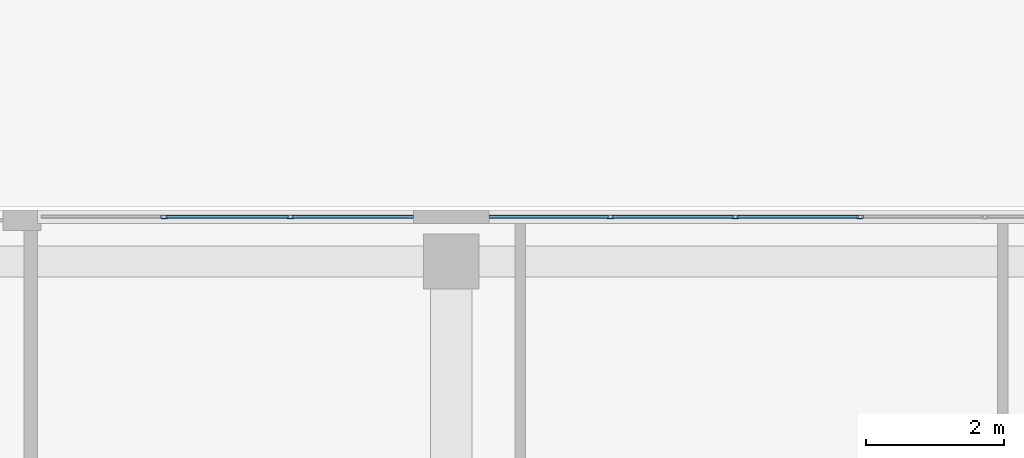
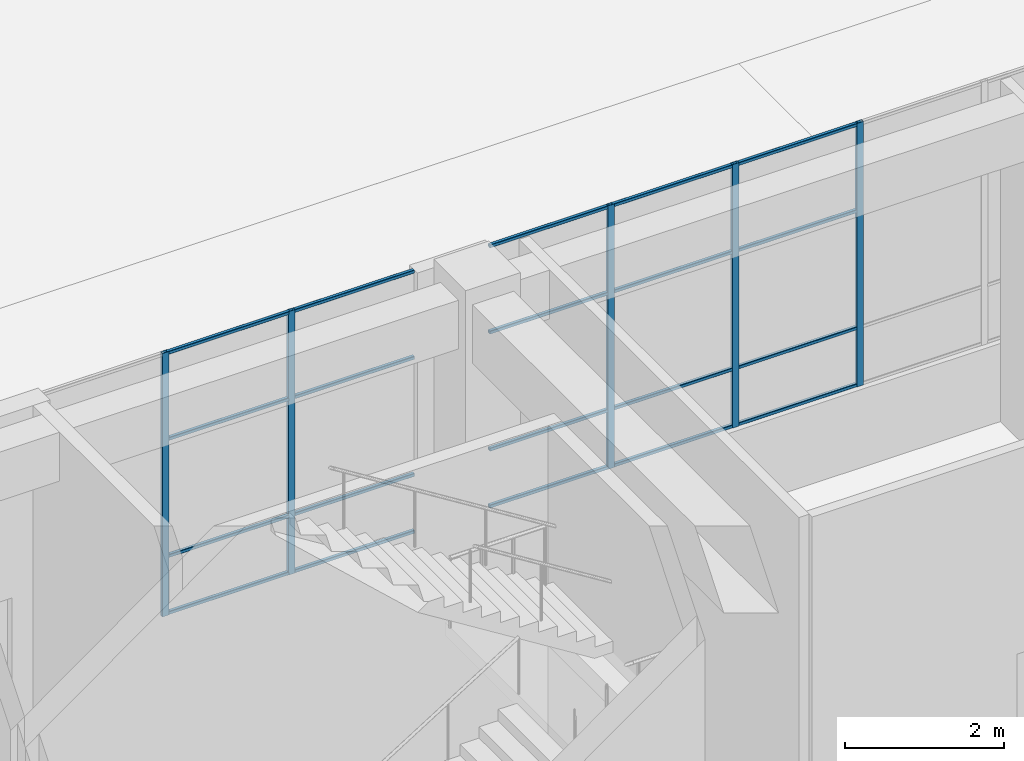
# One storey, part 40 of 72: 25 members, 2 elements without a shape of their own.
"""IFC4 building model written with IfcOpenShell, lengths in metres."""

import ifcopenshell
import ifcopenshell.guid

model = None  # the IFC model being written
_history = None  # IfcOwnerHistory: only IFC2X3 demands one
_inside = {}  # id of a spatial element -> (the spatial element, [elements in it])
_under = {}  # id of a project, library or spatial element -> (it, [spatial elements below it])
_declared = {}  # id of a project -> (the project, [libraries it declares])
_typed = {}  # id of a type object -> (the type object, [elements of that type])
_made_of = {}  # id of a material, layer set ... -> (it, [elements and type objects made of it])


def new_model(schema):
    """Start an empty IFC model of exactly this schema.

    Asked for "IFC4X3", IfcOpenShell would pick the latest addendum, in which some entities
    have other attributes; the version numbers below select the first issue.
    IFC2X3 requires an IfcOwnerHistory on every rooted entity: one is made here for all.
    """
    global model, _history
    if schema == "IFC4X3":
        model = ifcopenshell.file(schema_version=(4, 3, 0, 0))
    else:
        model = ifcopenshell.file(schema=schema)
    _inside.clear()
    _under.clear()
    _declared.clear()
    _typed.clear()
    _made_of.clear()
    _history = None
    if model.schema == "IFC2X3":
        org = make("IfcOrganization", Name="unknown")
        user = make(
            "IfcPersonAndOrganization",
            ThePerson=make("IfcPerson", FamilyName="unknown"),
            TheOrganization=org,
        )
        app = make(
            "IfcApplication",
            ApplicationDeveloper=org,
            Version="unknown",
            ApplicationFullName="unknown",
            ApplicationIdentifier="unknown",
        )
        _history = make(
            "IfcOwnerHistory",
            OwningUser=user,
            OwningApplication=app,
            ChangeAction="ADDED",
            CreationDate=0,
        )
    return model


def make(cls, **values):
    """One entity of the class cls with the attributes given. An attribute that is None is left unset."""
    return model.create_entity(
        cls, **{name: value for name, value in values.items() if value is not None}
    )


def rooted(cls, **values):
    """An entity with a GlobalId (a new one), such as an element, a storey or a relation."""
    return make(cls, GlobalId=ifcopenshell.guid.new(), OwnerHistory=_history, **values)


def si_unit(unit_type, name, prefix=None):
    """IfcSIUnit, for example si_unit("LENGTHUNIT", "METRE", prefix="MILLI")."""
    return make("IfcSIUnit", UnitType=unit_type, Prefix=prefix, Name=name)


def assignment(units):
    """IfcUnitAssignment: the units of a project."""
    return None if units is None else make("IfcUnitAssignment", Units=units)


def point(xyz):
    """IfcCartesianPoint."""
    return None if xyz is None else make("IfcCartesianPoint", Coordinates=xyz)


def direction(xyz):
    """IfcDirection."""
    return None if xyz is None else make("IfcDirection", DirectionRatios=xyz)


def frame(location, z_axis=None, x_axis=None):
    """IfcAxis2Placement3D, a coordinate frame: its origin and axes. An axis left out is left unset."""
    return make(
        "IfcAxis2Placement3D",
        Location=point(location),
        Axis=direction(z_axis),
        RefDirection=direction(x_axis),
    )


def frame_2d(location, x_axis=None):
    """IfcAxis2Placement2D, a coordinate frame in the plane: its origin and x axis."""
    return make(
        "IfcAxis2Placement2D", Location=point(location), RefDirection=direction(x_axis)
    )


def origin():
    """The frame at (0, 0, 0) with its axes left unset."""
    return frame((0.0, 0.0, 0.0))


def origin_2d():
    """The frame at (0, 0) in the plane with its x axis left unset."""
    return frame_2d((0.0, 0.0))


def place(relative_to, where):
    """IfcLocalPlacement: puts the frame where relative to a parent placement (None: the world)."""
    return make(
        "IfcLocalPlacement", PlacementRelTo=relative_to, RelativePlacement=where
    )


def context(
    kind, dimensions, precision=None, world=None, true_north=None, identifier=None
):
    """IfcGeometricRepresentationContext, for example the 3D "Model" context."""
    return make(
        "IfcGeometricRepresentationContext",
        ContextIdentifier=identifier,
        ContextType=kind,
        CoordinateSpaceDimension=dimensions,
        Precision=precision,
        WorldCoordinateSystem=world,
        TrueNorth=true_north,
    )


def subcontext(parent, identifier, kind, view, scale=None):
    """IfcGeometricRepresentationSubContext, for example "Body" below "Model"."""
    return make(
        "IfcGeometricRepresentationSubContext",
        ContextIdentifier=identifier,
        ContextType=kind,
        ParentContext=parent,
        TargetScale=scale,
        TargetView=view,
    )


def project(units=None, contexts=None):
    """IfcProject with its units and contexts."""
    return rooted(
        "IfcProject",
        Name="project",
        RepresentationContexts=contexts,
        UnitsInContext=assignment(units),
    )


def spatial(cls, under=None, at=None, **own):
    """A site, building, storey or space (cls), placed at a placement, below another one or the project."""
    s = rooted(cls, ObjectPlacement=at, **own)
    if under is not None:
        _under.setdefault(under.id(), (under, []))[1].append(s)
    return s


def profile(cls, at=None, kind="AREA", **sizes):
    """A parametric profile (cls). Its sizes go by their IFC names, for example OverallWidth=200.0."""
    return make(cls, ProfileType=kind, Position=at, **sizes)


def hollow_rectangle(**sizes):
    """IfcRectangleHollowProfileDef."""
    return profile("IfcRectangleHollowProfileDef", **sizes)


def extrude(swept, where, along, depth):
    """IfcExtrudedAreaSolid: the profile swept, set in the frame where, extruded along a direction by depth."""
    return make(
        "IfcExtrudedAreaSolid",
        SweptArea=swept,
        Position=where,
        ExtrudedDirection=direction(along),
        Depth=depth,
    )


def shape(context_of_items, identifier, shape_type, items):
    """IfcShapeRepresentation: the items that make up one representation, for example the "Body"."""
    return make(
        "IfcShapeRepresentation",
        ContextOfItems=context_of_items,
        RepresentationIdentifier=identifier,
        RepresentationType=shape_type,
        Items=items,
    )


def material(Name=None, Category=None):
    """IfcMaterial."""
    return make("IfcMaterial", Name=Name, Category=Category)


def layer(
    of_material, thickness, ventilated=None, Name=None, Category=None, Priority=None
):
    """IfcMaterialLayer: one layer of a wall or slab, of a material (None: an air gap)."""
    return make(
        "IfcMaterialLayer",
        Material=of_material,
        LayerThickness=thickness,
        IsVentilated=ventilated,
        Name=Name,
        Category=Category,
        Priority=Priority,
    )


def layer_set(layers, Name=None):
    """IfcMaterialLayerSet."""
    return make("IfcMaterialLayerSet", MaterialLayers=layers, LayerSetName=Name)


def material_profile(
    of_material, cross_section, Name=None, Category=None, Priority=None
):
    """IfcMaterialProfile: a cross section and its material."""
    return make(
        "IfcMaterialProfile",
        Name=Name,
        Material=of_material,
        Profile=cross_section,
        Priority=Priority,
        Category=Category,
    )


def profile_set(profiles, Name=None, composite=None):
    """IfcMaterialProfileSet."""
    return make(
        "IfcMaterialProfileSet",
        Name=Name,
        MaterialProfiles=profiles,
        CompositeProfile=composite,
    )


def made_of(thing, what):
    """Note that an element or type object is made of a material, layer set ...; save() writes the relation."""
    if what is not None:
        _made_of.setdefault(what.id(), (what, []))[1].append(thing)
    return thing


def type_object(cls, material=None, **own):
    """A type object (cls), such as IfcWallType, which elements share."""
    return made_of(rooted(cls, **own), material)


def element(
    cls,
    number,
    at=None,
    inside=None,
    cuts=None,
    type_object=None,
    material=None,
    context=None,
    identifier="Body",
    shape_type=None,
    held_by="IfcProductDefinitionShape",
    body=None,
    shapes=None,
    **own,
):
    """One element of the class cls, such as IfcWall. Its Tag is "e" and its number.

    at: its placement. inside: the storey or other place that contains it. cuts: it is an
    opening in that element (IfcRelVoidsElement). A single representation is given by context,
    identifier, shape_type and body (its items); several are given by shapes. held_by: the class
    of the entity that holds the representations. save() writes the other relations.
    """
    e = rooted(cls, Tag="e%d" % number, ObjectPlacement=at, **own)
    if body is not None:
        shapes = [shape(context, identifier, shape_type, body)]
    if shapes is not None:
        e.Representation = make(held_by, Representations=shapes)
    if inside is not None:
        _inside.setdefault(inside.id(), (inside, []))[1].append(e)
    if cuts is not None:
        rooted(
            "IfcRelVoidsElement", RelatingBuildingElement=cuts, RelatedOpeningElement=e
        )
    if type_object is not None:
        _typed.setdefault(type_object.id(), (type_object, []))[1].append(e)
    return made_of(e, material)


def aggregate(whole, parts):
    """IfcRelAggregates: a whole, such as a stair, and the parts it consists of."""
    return rooted("IfcRelAggregates", RelatingObject=whole, RelatedObjects=parts)


def save(model, path):
    """Write the relations noted so far, then the file.

    IfcRelAggregates (storeys below a building ...), IfcRelContainedInSpatialStructure (elements
    in a storey), IfcRelDefinesByType, IfcRelAssociatesMaterial and IfcRelDeclares: one each for
    every whole, place, type object, material and project.
    """
    for whole, parts in _under.values():
        aggregate(whole, parts)
    for where, things in _inside.values():
        rooted(
            "IfcRelContainedInSpatialStructure",
            RelatedElements=things,
            RelatingStructure=where,
        )
    for kind, things in _typed.values():
        rooted("IfcRelDefinesByType", RelatedObjects=things, RelatingType=kind)
    for what, things in _made_of.values():
        rooted("IfcRelAssociatesMaterial", RelatedObjects=things, RelatingMaterial=what)
    for by, libraries in _declared.values():
        rooted("IfcRelDeclares", RelatingContext=by, RelatedDefinitions=libraries)
    model.write(path)


model = new_model("IFC4")

# Units and contexts
model_context = context("Model", 3, precision=1e-05, world=origin(), true_north=direction((0.0, 1.0)))
body_context = subcontext(model_context, "Body", "Model", "MODEL_VIEW")
ifc_project = project(units=[si_unit("LENGTHUNIT", "METRE"), si_unit("AREAUNIT", "SQUARE_METRE"), si_unit("VOLUMEUNIT", "CUBIC_METRE"), si_unit("PLANEANGLEUNIT", "RADIAN"), si_unit("MASSUNIT", "GRAM", prefix="KILO")], contexts=[model_context])

# Site, building, storey
site_placement = place(None, origin())
site = spatial("IfcSite", under=ifc_project, at=site_placement, CompositionType="ELEMENT")
building_placement = place(site_placement, origin())
building = spatial("IfcBuilding", under=site, at=building_placement, Name="Tuart Plaza Theatre", CompositionType="ELEMENT")
storey_placement = place(building_placement, origin())
storey = spatial("IfcBuildingStorey", under=building, at=storey_placement, Name="L00", CompositionType="ELEMENT", Elevation=0.0)

# Curtain wall, members
ifc_material_1 = material(Name="Aluminium and glass", Category="aluminium")
ifc_layer_1 = layer(ifc_material_1, 0.10009765625)
ifc_layer_set_1 = layer_set([ifc_layer_1], Name="CURTAIN WALL 1800 module")
curtain_wall_type_1 = type_object("IfcCurtainWallType", Name="CURTAIN WALL 1800 module", PredefinedType="NOTDEFINED", material=ifc_layer_set_1)
curtain_wall_1_placement = place(storey_placement, origin())
curtain_wall_1 = element("IfcCurtainWall", 1, at=curtain_wall_1_placement, inside=storey, type_object=curtain_wall_type_1, Name="CW52", PredefinedType="NOTDEFINED")
ifc_material_2 = material(Name="Aluminium 6063-T5", Category="aluminium")
ifc_material_profile_1 = material_profile(ifc_material_2, hollow_rectangle(XDim=0.050048828125, YDim=0.10009765625, WallThickness=0.00390625, InnerFilletRadius=0.00390625, OuterFilletRadius=0.008056640625, at=origin_2d()), Name="RHS 100x50x4")
ifc_profile_set_1 = profile_set([ifc_material_profile_1], Name="Aluminium 6063-T5")
member_type_1 = type_object("IfcMemberType", Name="MULLION RHS 100x50x4", PredefinedType="MULLION", material=ifc_profile_set_1)
member_1_placement = place(storey_placement, frame((146.929931640625, 92.64990234375, 1.199951171875), z_axis=(0.0, 0.0, 1.0), x_axis=(0.0, -1.0, 0.0)))
member_1 = element("IfcMember", 2, at=member_1_placement, type_object=member_type_1, Name="CW52 mullion 3", PredefinedType="MULLION", context=body_context, shape_type="SweptSolid", body=[
    extrude(hollow_rectangle(XDim=0.050048828125, YDim=0.10009765625, WallThickness=0.00390625, InnerFilletRadius=0.00390625, OuterFilletRadius=0.008056640625, at=origin_2d()), origin(), (0.0, 0.0, 1.0), 4.050048828125),
])
member_2_placement = place(storey_placement, frame((145.1201171875, 92.64990234375, 1.199951171875), z_axis=(0.0, 0.0, 1.0), x_axis=(0.0, -1.0, 0.0)))
member_2 = element("IfcMember", 3, at=member_2_placement, type_object=member_type_1, Name="CW52 mullion 4", PredefinedType="MULLION", context=body_context, shape_type="SweptSolid", body=[
    extrude(hollow_rectangle(XDim=0.050048828125, YDim=0.10009765625, WallThickness=0.00390625, InnerFilletRadius=0.00390625, OuterFilletRadius=0.008056640625, at=origin_2d()), origin(), (0.0, 0.0, 1.0), 4.050048828125),
])
member_3_placement = place(storey_placement, frame((143.31005859375, 92.64990234375, 1.199951171875), z_axis=(0.0, 0.0, 1.0), x_axis=(0.0, -1.0, 0.0)))
member_3 = element("IfcMember", 4, at=member_3_placement, type_object=member_type_1, Name="CW52 mullion 5", PredefinedType="MULLION", context=body_context, shape_type="SweptSolid", body=[
    extrude(hollow_rectangle(XDim=0.050048828125, YDim=0.10009765625, WallThickness=0.00390625, InnerFilletRadius=0.00390625, OuterFilletRadius=0.008056640625, at=origin_2d()), origin(), (0.0, 0.0, 1.0), 4.050048828125),
])

ifc_material_3 = material(Name="Aluminium and glass", Category="aluminium")
ifc_layer_2 = layer(ifc_material_3, 0.10009765625)
ifc_layer_set_2 = layer_set([ifc_layer_2], Name="CURTAIN WALL 2000 module")
curtain_wall_type_2 = type_object("IfcCurtainWallType", Name="CURTAIN WALL 2000 module", PredefinedType="NOTDEFINED", material=ifc_layer_set_2)
curtain_wall_2_placement = place(storey_placement, origin())
curtain_wall_2 = element("IfcCurtainWall", 5, at=curtain_wall_2_placement, inside=storey, type_object=curtain_wall_type_2, Name="CW53", PredefinedType="NOTDEFINED")
member_4_placement = place(storey_placement, frame((138.666748046875, 92.64990234375, 1.199951171875), z_axis=(0.0, 0.0, 1.0), x_axis=(0.0, -1.0, 0.0)))
member_4 = element("IfcMember", 6, at=member_4_placement, type_object=member_type_1, Name="CW53 mullion 2", PredefinedType="MULLION", context=body_context, shape_type="SweptSolid", body=[
    extrude(hollow_rectangle(XDim=0.050048828125, YDim=0.10009765625, WallThickness=0.00390625, InnerFilletRadius=0.00390625, OuterFilletRadius=0.008056640625, at=origin_2d()), origin(), (0.0, 0.0, 1.0), 4.050048828125),
])
member_5_placement = place(storey_placement, frame((136.833251953125, 92.64990234375, 1.199951171875), z_axis=(0.0, 0.0, 1.0), x_axis=(0.0, -1.0, 0.0)))
member_5 = element("IfcMember", 7, at=member_5_placement, type_object=member_type_1, Name="CW53 mullion 3", PredefinedType="MULLION", context=body_context, shape_type="SweptSolid", body=[
    extrude(hollow_rectangle(XDim=0.050048828125, YDim=0.10009765625, WallThickness=0.00390625, InnerFilletRadius=0.00390625, OuterFilletRadius=0.008056640625, at=origin_2d()), origin(), (0.0, 0.0, 1.0), 4.050048828125),
])

# Member
ifc_material_4 = material(Name="Aluminium 6063-T5", Category="aluminium")
ifc_material_profile_2 = material_profile(ifc_material_4, hollow_rectangle(XDim=0.050048828125, YDim=0.050048828125, WallThickness=0.00390625, InnerFilletRadius=0.00390625, OuterFilletRadius=0.008056640625, at=origin_2d()), Name="RHS 50x50x4")
ifc_profile_set_2 = profile_set([ifc_material_profile_2], Name="Aluminium 6063-T5")
member_type_2 = type_object("IfcMemberType", Name="TRANSOM RHS 50x50x4", PredefinedType="USERDEFINED", material=ifc_profile_set_2)
member_6_placement = place(storey_placement, frame((146.905029296875, 92.64990234375, 1.22509765625), z_axis=(-1.0, 0.0, 0.0), x_axis=(0.0, -1.0, 0.0)))
member_6 = element("IfcMember", 8, at=member_6_placement, type_object=member_type_2, Name="CW52 transom 3.1", ObjectType="TRANSOM", PredefinedType="USERDEFINED", context=body_context, shape_type="SweptSolid", body=[
    extrude(hollow_rectangle(XDim=0.050048828125, YDim=0.050048828125, WallThickness=0.00390625, InnerFilletRadius=0.00390625, OuterFilletRadius=0.008056640625, at=origin_2d()), origin(), (0.0, 0.0, 1.0), 1.760009765625),
])

member_7_placement = place(storey_placement, frame((146.905029296875, 92.64990234375, 2.10009765625), z_axis=(-1.0, 0.0, 0.0), x_axis=(0.0, -1.0, 0.0)))
member_7 = element("IfcMember", 9, at=member_7_placement, type_object=member_type_2, Name="CW52 transom 3.2", ObjectType="TRANSOM", PredefinedType="USERDEFINED", context=body_context, shape_type="SweptSolid", body=[
    extrude(hollow_rectangle(XDim=0.050048828125, YDim=0.050048828125, WallThickness=0.00390625, InnerFilletRadius=0.00390625, OuterFilletRadius=0.008056640625, at=origin_2d()), origin(), (0.0, 0.0, 1.0), 1.760009765625),
])

member_8_placement = place(storey_placement, frame((146.905029296875, 92.64990234375, 3.89990234375), z_axis=(-1.0, 0.0, 0.0), x_axis=(0.0, -1.0, 0.0)))
member_8 = element("IfcMember", 10, at=member_8_placement, type_object=member_type_2, Name="CW52 transom 3.3", ObjectType="TRANSOM", PredefinedType="USERDEFINED", context=body_context, shape_type="SweptSolid", body=[
    extrude(hollow_rectangle(XDim=0.050048828125, YDim=0.050048828125, WallThickness=0.00390625, InnerFilletRadius=0.00390625, OuterFilletRadius=0.008056640625, at=origin_2d()), origin(), (0.0, 0.0, 1.0), 1.760009765625),
])

member_9_placement = place(storey_placement, frame((146.905029296875, 92.64990234375, 5.22509765625), z_axis=(-1.0, 0.0, 0.0), x_axis=(0.0, -1.0, 0.0)))
member_9 = element("IfcMember", 11, at=member_9_placement, type_object=member_type_2, Name="CW52 transom 3.4", ObjectType="TRANSOM", PredefinedType="USERDEFINED", context=body_context, shape_type="SweptSolid", body=[
    extrude(hollow_rectangle(XDim=0.050048828125, YDim=0.050048828125, WallThickness=0.00390625, InnerFilletRadius=0.00390625, OuterFilletRadius=0.008056640625, at=origin_2d()), origin(), (0.0, 0.0, 1.0), 1.760009765625),
])

member_10_placement = place(storey_placement, frame((145.094970703125, 92.64990234375, 1.22509765625), z_axis=(-1.0, 0.0, 0.0), x_axis=(0.0, -1.0, 0.0)))
member_10 = element("IfcMember", 12, at=member_10_placement, type_object=member_type_2, Name="CW52 transom 4.1", ObjectType="TRANSOM", PredefinedType="USERDEFINED", context=body_context, shape_type="SweptSolid", body=[
    extrude(hollow_rectangle(XDim=0.050048828125, YDim=0.050048828125, WallThickness=0.00390625, InnerFilletRadius=0.00390625, OuterFilletRadius=0.008056640625, at=origin_2d()), origin(), (0.0, 0.0, 1.0), 1.760009765625),
])

member_11_placement = place(storey_placement, frame((145.094970703125, 92.64990234375, 2.10009765625), z_axis=(-1.0, 0.0, 0.0), x_axis=(0.0, -1.0, 0.0)))
member_11 = element("IfcMember", 13, at=member_11_placement, type_object=member_type_2, Name="CW52 transom 4.2", ObjectType="TRANSOM", PredefinedType="USERDEFINED", context=body_context, shape_type="SweptSolid", body=[
    extrude(hollow_rectangle(XDim=0.050048828125, YDim=0.050048828125, WallThickness=0.00390625, InnerFilletRadius=0.00390625, OuterFilletRadius=0.008056640625, at=origin_2d()), origin(), (0.0, 0.0, 1.0), 1.760009765625),
])

member_12_placement = place(storey_placement, frame((145.094970703125, 92.64990234375, 3.89990234375), z_axis=(-1.0, 0.0, 0.0), x_axis=(0.0, -1.0, 0.0)))
member_12 = element("IfcMember", 14, at=member_12_placement, type_object=member_type_2, Name="CW52 transom 4.3", ObjectType="TRANSOM", PredefinedType="USERDEFINED", context=body_context, shape_type="SweptSolid", body=[
    extrude(hollow_rectangle(XDim=0.050048828125, YDim=0.050048828125, WallThickness=0.00390625, InnerFilletRadius=0.00390625, OuterFilletRadius=0.008056640625, at=origin_2d()), origin(), (0.0, 0.0, 1.0), 1.760009765625),
])

member_13_placement = place(storey_placement, frame((145.094970703125, 92.64990234375, 5.22509765625), z_axis=(-1.0, 0.0, 0.0), x_axis=(0.0, -1.0, 0.0)))
member_13 = element("IfcMember", 15, at=member_13_placement, type_object=member_type_2, Name="CW52 transom 4.4", ObjectType="TRANSOM", PredefinedType="USERDEFINED", context=body_context, shape_type="SweptSolid", body=[
    extrude(hollow_rectangle(XDim=0.050048828125, YDim=0.050048828125, WallThickness=0.00390625, InnerFilletRadius=0.00390625, OuterFilletRadius=0.008056640625, at=origin_2d()), origin(), (0.0, 0.0, 1.0), 1.760009765625),
])

member_14_placement = place(storey_placement, frame((143.284912109375, 92.64990234375, 1.22509765625), z_axis=(-1.0, 0.0, 0.0), x_axis=(0.0, -1.0, 0.0)))
member_14 = element("IfcMember", 16, at=member_14_placement, type_object=member_type_2, Name="CW52 transom 5.1", ObjectType="TRANSOM", PredefinedType="USERDEFINED", context=body_context, shape_type="SweptSolid", body=[
    extrude(hollow_rectangle(XDim=0.050048828125, YDim=0.050048828125, WallThickness=0.00390625, InnerFilletRadius=0.00390625, OuterFilletRadius=0.008056640625, at=origin_2d()), origin(), (0.0, 0.0, 1.0), 1.73486328125),
])

member_15_placement = place(storey_placement, frame((143.284912109375, 92.64990234375, 2.10009765625), z_axis=(-1.0, 0.0, 0.0), x_axis=(0.0, -1.0, 0.0)))
member_15 = element("IfcMember", 17, at=member_15_placement, type_object=member_type_2, Name="CW52 transom 5.2", ObjectType="TRANSOM", PredefinedType="USERDEFINED", context=body_context, shape_type="SweptSolid", body=[
    extrude(hollow_rectangle(XDim=0.050048828125, YDim=0.050048828125, WallThickness=0.00390625, InnerFilletRadius=0.00390625, OuterFilletRadius=0.008056640625, at=origin_2d()), origin(), (0.0, 0.0, 1.0), 1.73486328125),
])

member_16_placement = place(storey_placement, frame((143.284912109375, 92.64990234375, 3.89990234375), z_axis=(-1.0, 0.0, 0.0), x_axis=(0.0, -1.0, 0.0)))
member_16 = element("IfcMember", 18, at=member_16_placement, type_object=member_type_2, Name="CW52 transom 5.3", ObjectType="TRANSOM", PredefinedType="USERDEFINED", context=body_context, shape_type="SweptSolid", body=[
    extrude(hollow_rectangle(XDim=0.050048828125, YDim=0.050048828125, WallThickness=0.00390625, InnerFilletRadius=0.00390625, OuterFilletRadius=0.008056640625, at=origin_2d()), origin(), (0.0, 0.0, 1.0), 1.73486328125),
])

member_17_placement = place(storey_placement, frame((143.284912109375, 92.64990234375, 5.22509765625), z_axis=(-1.0, 0.0, 0.0), x_axis=(0.0, -1.0, 0.0)))
member_17 = element("IfcMember", 19, at=member_17_placement, type_object=member_type_2, Name="CW52 transom 5.4", ObjectType="TRANSOM", PredefinedType="USERDEFINED", context=body_context, shape_type="SweptSolid", body=[
    extrude(hollow_rectangle(XDim=0.050048828125, YDim=0.050048828125, WallThickness=0.00390625, InnerFilletRadius=0.00390625, OuterFilletRadius=0.008056640625, at=origin_2d()), origin(), (0.0, 0.0, 1.0), 1.73486328125),
])

aggregate(curtain_wall_1, [member_1, member_2, member_3, member_6, member_7, member_8, member_9, member_10, member_11, member_12, member_13, member_14, member_15, member_16, member_17])

member_18_placement = place(storey_placement, frame((140.449951171875, 92.64990234375, 1.22509765625), z_axis=(-1.0, 0.0, 0.0), x_axis=(0.0, -1.0, 0.0)))
member_18 = element("IfcMember", 20, at=member_18_placement, type_object=member_type_2, Name="CW53 transom 1.1", ObjectType="TRANSOM", PredefinedType="USERDEFINED", context=body_context, shape_type="SweptSolid", body=[
    extrude(hollow_rectangle(XDim=0.050048828125, YDim=0.050048828125, WallThickness=0.00390625, InnerFilletRadius=0.00390625, OuterFilletRadius=0.008056640625, at=origin_2d()), origin(), (0.0, 0.0, 1.0), 1.75830078125),
])

member_19_placement = place(storey_placement, frame((140.449951171875, 92.64990234375, 2.10009765625), z_axis=(-1.0, 0.0, 0.0), x_axis=(0.0, -1.0, 0.0)))
member_19 = element("IfcMember", 21, at=member_19_placement, type_object=member_type_2, Name="CW53 transom 1.2", ObjectType="TRANSOM", PredefinedType="USERDEFINED", context=body_context, shape_type="SweptSolid", body=[
    extrude(hollow_rectangle(XDim=0.050048828125, YDim=0.050048828125, WallThickness=0.00390625, InnerFilletRadius=0.00390625, OuterFilletRadius=0.008056640625, at=origin_2d()), origin(), (0.0, 0.0, 1.0), 1.75830078125),
])

member_20_placement = place(storey_placement, frame((140.449951171875, 92.64990234375, 3.89990234375), z_axis=(-1.0, 0.0, 0.0), x_axis=(0.0, -1.0, 0.0)))
member_20 = element("IfcMember", 22, at=member_20_placement, type_object=member_type_2, Name="CW53 transom 1.3", ObjectType="TRANSOM", PredefinedType="USERDEFINED", context=body_context, shape_type="SweptSolid", body=[
    extrude(hollow_rectangle(XDim=0.050048828125, YDim=0.050048828125, WallThickness=0.00390625, InnerFilletRadius=0.00390625, OuterFilletRadius=0.008056640625, at=origin_2d()), origin(), (0.0, 0.0, 1.0), 1.75830078125),
])

member_21_placement = place(storey_placement, frame((140.449951171875, 92.64990234375, 5.22509765625), z_axis=(-1.0, 0.0, 0.0), x_axis=(0.0, -1.0, 0.0)))
member_21 = element("IfcMember", 23, at=member_21_placement, type_object=member_type_2, Name="CW53 transom 1.4", ObjectType="TRANSOM", PredefinedType="USERDEFINED", context=body_context, shape_type="SweptSolid", body=[
    extrude(hollow_rectangle(XDim=0.050048828125, YDim=0.050048828125, WallThickness=0.00390625, InnerFilletRadius=0.00390625, OuterFilletRadius=0.008056640625, at=origin_2d()), origin(), (0.0, 0.0, 1.0), 1.75830078125),
])

member_22_placement = place(storey_placement, frame((138.6416015625, 92.64990234375, 1.22509765625), z_axis=(-1.0, 0.0, 0.0), x_axis=(0.0, -1.0, 0.0)))
member_22 = element("IfcMember", 24, at=member_22_placement, type_object=member_type_2, Name="CW53 transom 2.1", ObjectType="TRANSOM", PredefinedType="USERDEFINED", context=body_context, shape_type="SweptSolid", body=[
    extrude(hollow_rectangle(XDim=0.050048828125, YDim=0.050048828125, WallThickness=0.00390625, InnerFilletRadius=0.00390625, OuterFilletRadius=0.008056640625, at=origin_2d()), origin(), (0.0, 0.0, 1.0), 1.783203125),
])

member_23_placement = place(storey_placement, frame((138.6416015625, 92.64990234375, 2.10009765625), z_axis=(-1.0, 0.0, 0.0), x_axis=(0.0, -1.0, 0.0)))
member_23 = element("IfcMember", 25, at=member_23_placement, type_object=member_type_2, Name="CW53 transom 2.2", ObjectType="TRANSOM", PredefinedType="USERDEFINED", context=body_context, shape_type="SweptSolid", body=[
    extrude(hollow_rectangle(XDim=0.050048828125, YDim=0.050048828125, WallThickness=0.00390625, InnerFilletRadius=0.00390625, OuterFilletRadius=0.008056640625, at=origin_2d()), origin(), (0.0, 0.0, 1.0), 1.783203125),
])

member_24_placement = place(storey_placement, frame((138.6416015625, 92.64990234375, 3.89990234375), z_axis=(-1.0, 0.0, 0.0), x_axis=(0.0, -1.0, 0.0)))
member_24 = element("IfcMember", 26, at=member_24_placement, type_object=member_type_2, Name="CW53 transom 2.3", ObjectType="TRANSOM", PredefinedType="USERDEFINED", context=body_context, shape_type="SweptSolid", body=[
    extrude(hollow_rectangle(XDim=0.050048828125, YDim=0.050048828125, WallThickness=0.00390625, InnerFilletRadius=0.00390625, OuterFilletRadius=0.008056640625, at=origin_2d()), origin(), (0.0, 0.0, 1.0), 1.783203125),
])

member_25_placement = place(storey_placement, frame((138.6416015625, 92.64990234375, 5.22509765625), z_axis=(-1.0, 0.0, 0.0), x_axis=(0.0, -1.0, 0.0)))
member_25 = element("IfcMember", 27, at=member_25_placement, type_object=member_type_2, Name="CW53 transom 2.4", ObjectType="TRANSOM", PredefinedType="USERDEFINED", context=body_context, shape_type="SweptSolid", body=[
    extrude(hollow_rectangle(XDim=0.050048828125, YDim=0.050048828125, WallThickness=0.00390625, InnerFilletRadius=0.00390625, OuterFilletRadius=0.008056640625, at=origin_2d()), origin(), (0.0, 0.0, 1.0), 1.783203125),
])

aggregate(curtain_wall_2, [member_4, member_5, member_18, member_19, member_20, member_21, member_22, member_23, member_24, member_25])

save(model, "model.ifc")
